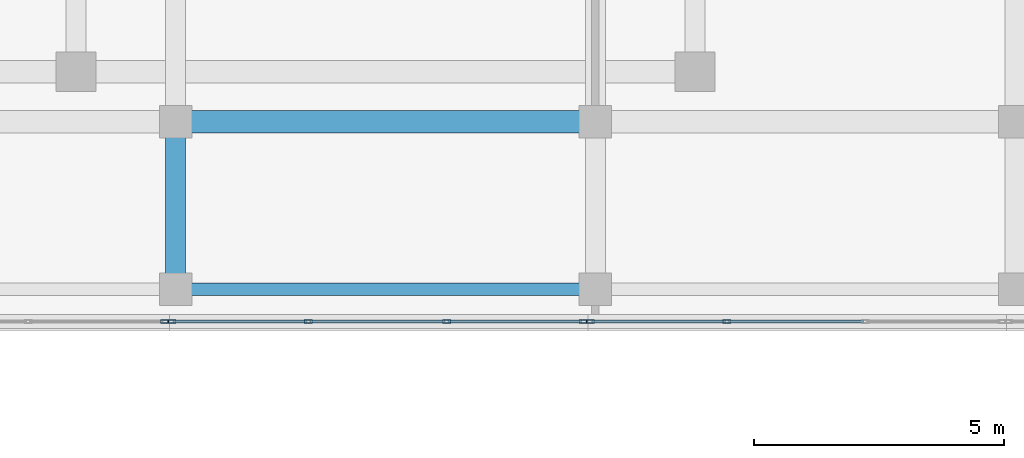
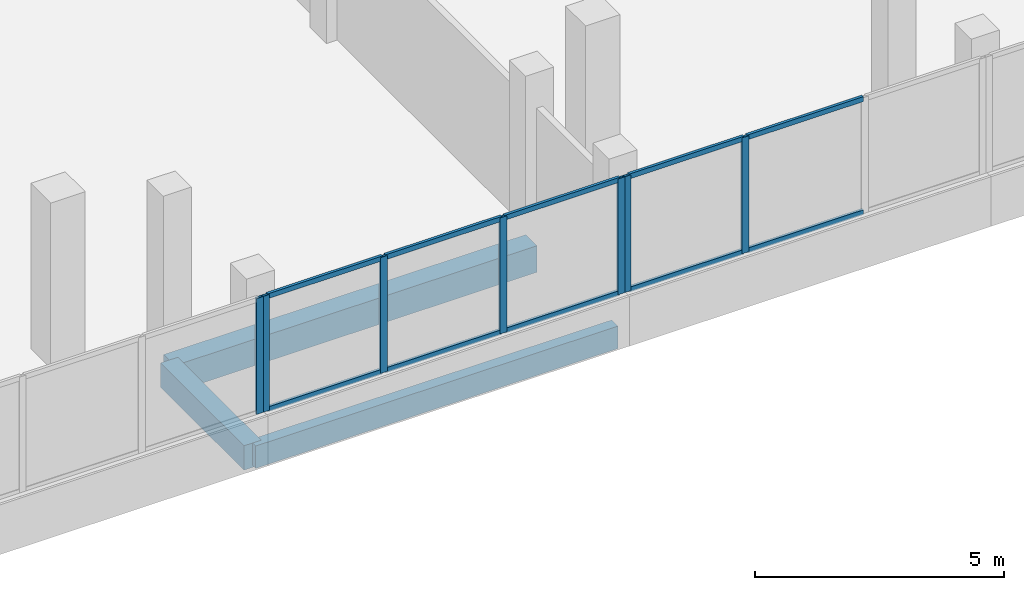
# One storey, part 10 of 76: 17 members, 3 beams, 3 elements without a shape of their own.
"""IFC4 building model written with IfcOpenShell, lengths in metres."""

from ifc_helpers import new_model, si_unit, direction, frame, origin, origin_2d, place, context, subcontext, project, spatial, rectangle, hollow_rectangle, extrude, material, material_profile, profile_set, type_object, element, aggregate, save


model = new_model("IFC4")

# Units and contexts
model_context = context("Model", 3, precision=1e-05, world=origin(), true_north=direction((0.0, 1.0)))
body_context = subcontext(model_context, "Body", "Model", "MODEL_VIEW")
ifc_project = project(units=[si_unit("LENGTHUNIT", "METRE"), si_unit("AREAUNIT", "SQUARE_METRE"), si_unit("VOLUMEUNIT", "CUBIC_METRE"), si_unit("PLANEANGLEUNIT", "RADIAN"), si_unit("MASSUNIT", "GRAM", prefix="KILO")], contexts=[model_context])

# Site, building, storey
site_placement = place(None, origin())
site = spatial("IfcSite", under=ifc_project, at=site_placement, CompositionType="ELEMENT")
building_placement = place(site_placement, origin())
building = spatial("IfcBuilding", under=site, at=building_placement, Name="Selatvlak General Hospital", CompositionType="ELEMENT")
storey_placement = place(building_placement, frame((0.0, 0.0, 27.300048828125)))
storey = spatial("IfcBuildingStorey", under=building, at=storey_placement, Name="L06", CompositionType="ELEMENT", Elevation=27.300048828125)

# Beams
ifc_material_1 = material(Name="Concrete C40/50", Category="concrete")
ifc_material_profile_1 = material_profile(ifc_material_1, rectangle(XDim=0.449951171875, YDim=0.64990234375, at=origin_2d()), Name="RC-BM 450x650")
ifc_profile_set_1 = profile_set([ifc_material_profile_1], Name="Concrete C40/50")
beam_type_1 = type_object("IfcBeamType", Name="BM-G04", PredefinedType="BEAM", material=ifc_profile_set_1)
beam_1_placement = place(storey_placement, frame((73.199951171875, 92.0, -0.60009765625), z_axis=(1.0, 0.0, 0.0), x_axis=(0.0, 1.0, 0.0)))
element("IfcBeam", 1, at=beam_1_placement, inside=storey, type_object=beam_type_1, Name="Beam BMR-L06-2168", PredefinedType="BEAM", context=body_context, shape_type="SweptSolid", body=[
    extrude(rectangle(XDim=0.449951171875, YDim=0.64990234375, at=origin_2d()), origin(), (0.0, 0.0, 1.0), 8.400146484375),
])
ifc_material_profile_2 = material_profile(ifc_material_1, rectangle(XDim=0.39990234375, YDim=0.60009765625, at=origin_2d()), Name="RC-BM 400x600")
ifc_profile_set_2 = profile_set([ifc_material_profile_2], Name="Concrete C40/50")
beam_type_2 = type_object("IfcBeamType", Name="BM-G05", PredefinedType="BEAM", material=ifc_profile_set_2)
beam_2_placement = place(storey_placement, frame((73.199951171875, 88.64990234375, -0.574951171875), z_axis=(0.0, 1.0, 0.0), x_axis=(-1.0, 0.0, 0.0)))
element("IfcBeam", 2, at=beam_2_placement, inside=storey, type_object=beam_type_2, Name="Beam BMR-L06-2272", PredefinedType="BEAM", context=body_context, shape_type="SweptSolid", body=[
    extrude(rectangle(XDim=0.39990234375, YDim=0.60009765625, at=origin_2d()), origin(), (0.0, 0.0, 1.0), 3.35009765625),
])
ifc_material_profile_3 = material_profile(ifc_material_1, rectangle(XDim=0.25, YDim=0.550048828125, at=origin_2d()), Name="RC-SP 250x550")
ifc_profile_set_3 = profile_set([ifc_material_profile_3], Name="Concrete C40/50")
beam_type_3 = type_object("IfcBeamType", Name="BM-SP2", PredefinedType="SPANDREL", material=ifc_profile_set_3)
beam_3_placement = place(storey_placement, frame((73.199951171875, 88.64990234375, -0.550048828125), z_axis=(1.0, 0.0, 0.0), x_axis=(0.0, 1.0, 0.0)))
element("IfcBeam", 3, at=beam_3_placement, inside=storey, type_object=beam_type_3, Name="Beam BMR-L06-2149", PredefinedType="SPANDREL", context=body_context, shape_type="SweptSolid", body=[
    extrude(rectangle(XDim=0.25, YDim=0.550048828125, at=origin_2d()), origin(), (0.0, 0.0, 1.0), 8.400146484375),
])

# Curtain wall, members
ifc_material_2 = material(Name="Solar-control Low-E double glazing", Category="glass")
curtain_wall_type_1 = type_object("IfcCurtainWallType", Name="CW-CW-01", PredefinedType="USERDEFINED", material=ifc_material_2)
curtain_wall_1_placement = place(storey_placement, origin())
curtain_wall_1 = element("IfcCurtainWall", 4, at=curtain_wall_1_placement, inside=storey, type_object=curtain_wall_type_1, Name="Glazed facade curtain wall CW-L06-0631", ObjectType="UNITISED CURTAIN WALL", PredefinedType="USERDEFINED")
ifc_material_3 = material(Name="Dark anodised aluminium mullion", Category="aluminium")
ifc_material_profile_4 = material_profile(ifc_material_3, hollow_rectangle(XDim=0.06494140625, YDim=0.159912109375, WallThickness=0.00390625, at=origin_2d()), Name="AL-MUL 65x160x4")
ifc_profile_set_4 = profile_set([ifc_material_profile_4], Name="Dark anodised aluminium mullion")
member_type_1 = type_object("IfcMemberType", Name="CWM-01", PredefinedType="MULLION", material=ifc_profile_set_4)
member_1_placement = place(storey_placement, frame((84.234375, 88.0, 0.93994140625), z_axis=(0.0, 0.0, 1.0), x_axis=(0.0, -1.0, 0.0)))
member_1 = element("IfcMember", 5, at=member_1_placement, type_object=member_type_1, Name="CW-01 mullion 3", PredefinedType="MULLION", context=body_context, shape_type="SweptSolid", body=[
    extrude(hollow_rectangle(XDim=0.06494140625, YDim=0.159912109375, WallThickness=0.00390625, at=origin_2d()), origin(), (0.0, 0.0, 1.0), 2.840087890625),
])
member_2_placement = place(storey_placement, frame((81.50048828125, 88.0, 0.93994140625), z_axis=(0.0, 0.0, 1.0), x_axis=(0.0, -1.0, 0.0)))
member_2 = element("IfcMember", 6, at=member_2_placement, type_object=member_type_1, Name="CW-01 mullion 4", PredefinedType="MULLION", context=body_context, shape_type="SweptSolid", body=[
    extrude(hollow_rectangle(XDim=0.06494140625, YDim=0.159912109375, WallThickness=0.00390625, at=origin_2d()), origin(), (0.0, 0.0, 1.0), 2.840087890625),
])

curtain_wall_type_2 = type_object("IfcCurtainWallType", Name="CW-CW-02", PredefinedType="USERDEFINED", material=ifc_material_2)
curtain_wall_2_placement = place(storey_placement, origin())
curtain_wall_2 = element("IfcCurtainWall", 7, at=curtain_wall_2_placement, inside=storey, type_object=curtain_wall_type_2, Name="Glazed facade curtain wall CW-L06-0632", ObjectType="UNITISED CURTAIN WALL", PredefinedType="USERDEFINED")
member_3_placement = place(storey_placement, frame((81.35546875, 88.0, 0.93994140625), z_axis=(0.0, 0.0, 1.0), x_axis=(0.0, -1.0, 0.0)))
member_3 = element("IfcMember", 8, at=member_3_placement, type_object=member_type_1, Name="CW-02 mullion 1", PredefinedType="MULLION", context=body_context, shape_type="SweptSolid", body=[
    extrude(hollow_rectangle(XDim=0.06494140625, YDim=0.159912109375, WallThickness=0.00390625, at=origin_2d()), origin(), (0.0, 0.0, 1.0), 2.840087890625),
])
member_4_placement = place(storey_placement, frame((78.62158203125, 88.0, 0.93994140625), z_axis=(0.0, 0.0, 1.0), x_axis=(0.0, -1.0, 0.0)))
member_4 = element("IfcMember", 9, at=member_4_placement, type_object=member_type_1, Name="CW-02 mullion 2", PredefinedType="MULLION", context=body_context, shape_type="SweptSolid", body=[
    extrude(hollow_rectangle(XDim=0.06494140625, YDim=0.159912109375, WallThickness=0.00390625, at=origin_2d()), origin(), (0.0, 0.0, 1.0), 2.840087890625),
])
member_5_placement = place(storey_placement, frame((75.855224609375, 88.0, 0.93994140625), z_axis=(0.0, 0.0, 1.0), x_axis=(0.0, -1.0, 0.0)))
member_5 = element("IfcMember", 10, at=member_5_placement, type_object=member_type_1, Name="CW-02 mullion 3", PredefinedType="MULLION", context=body_context, shape_type="SweptSolid", body=[
    extrude(hollow_rectangle(XDim=0.06494140625, YDim=0.159912109375, WallThickness=0.00390625, at=origin_2d()), origin(), (0.0, 0.0, 1.0), 2.840087890625),
])
member_6_placement = place(storey_placement, frame((73.12158203125, 88.0, 0.93994140625), z_axis=(0.0, 0.0, 1.0), x_axis=(0.0, -1.0, 0.0)))
member_6 = element("IfcMember", 11, at=member_6_placement, type_object=member_type_1, Name="CW-02 mullion 4", PredefinedType="MULLION", context=body_context, shape_type="SweptSolid", body=[
    extrude(hollow_rectangle(XDim=0.06494140625, YDim=0.159912109375, WallThickness=0.00390625, at=origin_2d()), origin(), (0.0, 0.0, 1.0), 2.840087890625),
])

# Curtain wall, member
curtain_wall_3_placement = place(storey_placement, origin())
curtain_wall_3 = element("IfcCurtainWall", 12, at=curtain_wall_3_placement, inside=storey, type_object=curtain_wall_type_1, Name="Glazed facade curtain wall CW-L06-0633", ObjectType="UNITISED CURTAIN WALL", PredefinedType="USERDEFINED")
member_7_placement = place(storey_placement, frame((72.9765625, 88.0, 0.93994140625), z_axis=(0.0, 0.0, 1.0), x_axis=(0.0, -1.0, 0.0)))
member_7 = element("IfcMember", 13, at=member_7_placement, type_object=member_type_1, Name="CW-01 mullion 1", PredefinedType="MULLION", context=body_context, shape_type="SweptSolid", body=[
    extrude(hollow_rectangle(XDim=0.06494140625, YDim=0.159912109375, WallThickness=0.00390625, at=origin_2d()), origin(), (0.0, 0.0, 1.0), 2.840087890625),
])
aggregate(curtain_wall_3, [member_7])

# Member
ifc_material_profile_5 = material_profile(ifc_material_3, hollow_rectangle(XDim=0.06494140625, YDim=0.1201171875, WallThickness=0.00390625, at=origin_2d()), Name="AL-TRN 65x120x4")
ifc_profile_set_5 = profile_set([ifc_material_profile_5], Name="Dark anodised aluminium mullion")
member_type_2 = type_object("IfcMemberType", Name="CWT-01", PredefinedType="USERDEFINED", material=ifc_profile_set_5)
member_8_placement = place(storey_placement, frame((86.96826171875, 88.0, 0.972412109375), z_axis=(-1.0, 0.0, 0.0), x_axis=(0.0, -1.0, 0.0)))
member_8 = element("IfcMember", 14, at=member_8_placement, type_object=member_type_2, Name="CW-01 transom 2.1", ObjectType="TRANSOM", PredefinedType="USERDEFINED", context=body_context, shape_type="SweptSolid", body=[
    extrude(hollow_rectangle(XDim=0.06494140625, YDim=0.1201171875, WallThickness=0.00390625, at=origin_2d()), origin(), (0.0, 0.0, 1.0), 2.701416015625),
])

member_9_placement = place(storey_placement, frame((86.96826171875, 88.0, 3.74755859375), z_axis=(-1.0, 0.0, 0.0), x_axis=(0.0, -1.0, 0.0)))
member_9 = element("IfcMember", 15, at=member_9_placement, type_object=member_type_2, Name="CW-01 transom 2.2", ObjectType="TRANSOM", PredefinedType="USERDEFINED", context=body_context, shape_type="SweptSolid", body=[
    extrude(hollow_rectangle(XDim=0.06494140625, YDim=0.1201171875, WallThickness=0.00390625, at=origin_2d()), origin(), (0.0, 0.0, 1.0), 2.701416015625),
])

member_10_placement = place(storey_placement, frame((84.201904296875, 88.0, 0.972412109375), z_axis=(-1.0, 0.0, 0.0), x_axis=(0.0, -1.0, 0.0)))
member_10 = element("IfcMember", 16, at=member_10_placement, type_object=member_type_2, Name="CW-01 transom 3.1", ObjectType="TRANSOM", PredefinedType="USERDEFINED", context=body_context, shape_type="SweptSolid", body=[
    extrude(hollow_rectangle(XDim=0.06494140625, YDim=0.1201171875, WallThickness=0.00390625, at=origin_2d()), origin(), (0.0, 0.0, 1.0), 2.6689453125),
])

member_11_placement = place(storey_placement, frame((84.201904296875, 88.0, 3.74755859375), z_axis=(-1.0, 0.0, 0.0), x_axis=(0.0, -1.0, 0.0)))
member_11 = element("IfcMember", 17, at=member_11_placement, type_object=member_type_2, Name="CW-01 transom 3.2", ObjectType="TRANSOM", PredefinedType="USERDEFINED", context=body_context, shape_type="SweptSolid", body=[
    extrude(hollow_rectangle(XDim=0.06494140625, YDim=0.1201171875, WallThickness=0.00390625, at=origin_2d()), origin(), (0.0, 0.0, 1.0), 2.6689453125),
])

aggregate(curtain_wall_1, [member_1, member_2, member_8, member_9, member_10, member_11])

member_12_placement = place(storey_placement, frame((81.322998046875, 88.0, 0.972412109375), z_axis=(-1.0, 0.0, 0.0), x_axis=(0.0, -1.0, 0.0)))
member_12 = element("IfcMember", 18, at=member_12_placement, type_object=member_type_2, Name="CW-02 transom 1.1", ObjectType="TRANSOM", PredefinedType="USERDEFINED", context=body_context, shape_type="SweptSolid", body=[
    extrude(hollow_rectangle(XDim=0.06494140625, YDim=0.1201171875, WallThickness=0.00390625, at=origin_2d()), origin(), (0.0, 0.0, 1.0), 2.6689453125),
])

member_13_placement = place(storey_placement, frame((81.322998046875, 88.0, 3.74755859375), z_axis=(-1.0, 0.0, 0.0), x_axis=(0.0, -1.0, 0.0)))
member_13 = element("IfcMember", 19, at=member_13_placement, type_object=member_type_2, Name="CW-02 transom 1.2", ObjectType="TRANSOM", PredefinedType="USERDEFINED", context=body_context, shape_type="SweptSolid", body=[
    extrude(hollow_rectangle(XDim=0.06494140625, YDim=0.1201171875, WallThickness=0.00390625, at=origin_2d()), origin(), (0.0, 0.0, 1.0), 2.6689453125),
])

member_14_placement = place(storey_placement, frame((78.589111328125, 88.0, 0.972412109375), z_axis=(-1.0, 0.0, 0.0), x_axis=(0.0, -1.0, 0.0)))
member_14 = element("IfcMember", 20, at=member_14_placement, type_object=member_type_2, Name="CW-02 transom 2.1", ObjectType="TRANSOM", PredefinedType="USERDEFINED", context=body_context, shape_type="SweptSolid", body=[
    extrude(hollow_rectangle(XDim=0.06494140625, YDim=0.1201171875, WallThickness=0.00390625, at=origin_2d()), origin(), (0.0, 0.0, 1.0), 2.701171875),
])

member_15_placement = place(storey_placement, frame((78.589111328125, 88.0, 3.74755859375), z_axis=(-1.0, 0.0, 0.0), x_axis=(0.0, -1.0, 0.0)))
member_15 = element("IfcMember", 21, at=member_15_placement, type_object=member_type_2, Name="CW-02 transom 2.2", ObjectType="TRANSOM", PredefinedType="USERDEFINED", context=body_context, shape_type="SweptSolid", body=[
    extrude(hollow_rectangle(XDim=0.06494140625, YDim=0.1201171875, WallThickness=0.00390625, at=origin_2d()), origin(), (0.0, 0.0, 1.0), 2.701171875),
])

member_16_placement = place(storey_placement, frame((75.82275390625, 88.0, 0.972412109375), z_axis=(-1.0, 0.0, 0.0), x_axis=(0.0, -1.0, 0.0)))
member_16 = element("IfcMember", 22, at=member_16_placement, type_object=member_type_2, Name="CW-02 transom 3.1", ObjectType="TRANSOM", PredefinedType="USERDEFINED", context=body_context, shape_type="SweptSolid", body=[
    extrude(hollow_rectangle(XDim=0.06494140625, YDim=0.1201171875, WallThickness=0.00390625, at=origin_2d()), origin(), (0.0, 0.0, 1.0), 2.668701171875),
])

member_17_placement = place(storey_placement, frame((75.82275390625, 88.0, 3.74755859375), z_axis=(-1.0, 0.0, 0.0), x_axis=(0.0, -1.0, 0.0)))
member_17 = element("IfcMember", 23, at=member_17_placement, type_object=member_type_2, Name="CW-02 transom 3.2", ObjectType="TRANSOM", PredefinedType="USERDEFINED", context=body_context, shape_type="SweptSolid", body=[
    extrude(hollow_rectangle(XDim=0.06494140625, YDim=0.1201171875, WallThickness=0.00390625, at=origin_2d()), origin(), (0.0, 0.0, 1.0), 2.668701171875),
])

aggregate(curtain_wall_2, [member_3, member_4, member_5, member_6, member_12, member_13, member_14, member_15, member_16, member_17])

save(model, "model.ifc")
